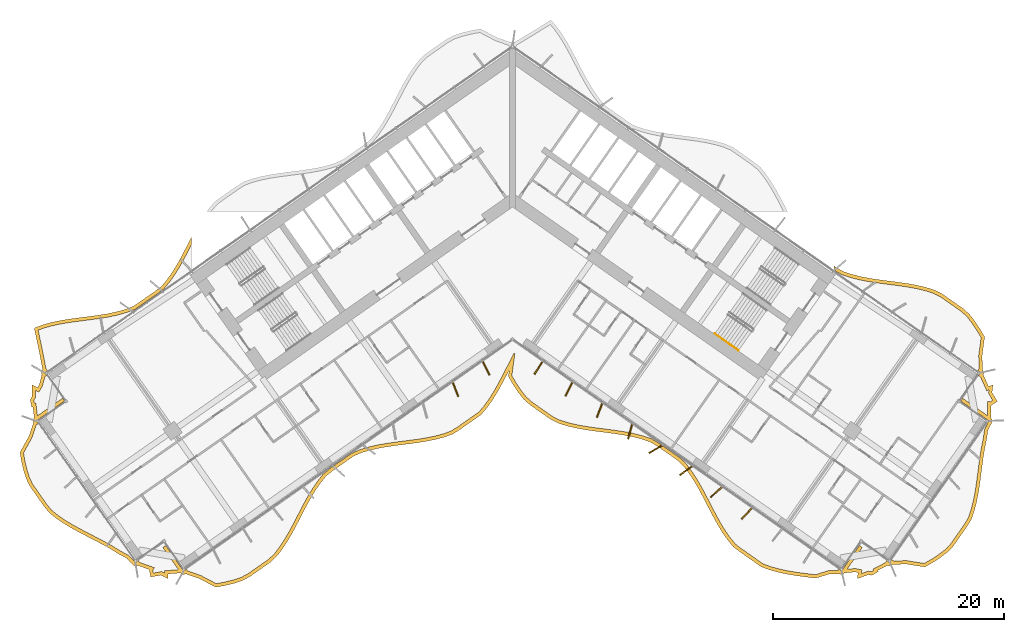
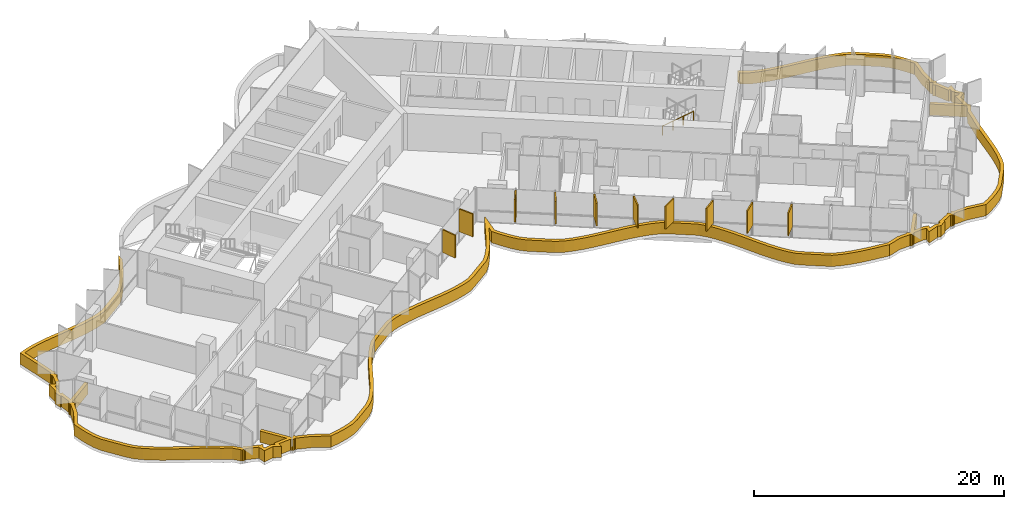
# One storey, part 20 of 23: 11 shading devices, 1 railing.
"""IFC4 building model written with IfcOpenShell, lengths in metres."""

from ifc_helpers import new_model, si_unit, direction, frame, origin, origin_2d, place, context, subcontext, project, spatial, polyline, rectangle, circle, outline, extrude, material, layer, layer_set, type_object, element, save


model = new_model("IFC4")

# Units and contexts
model_context = context("Model", 3, precision=1e-05, world=origin(), true_north=direction((0.0, 1.0)))
body_context = subcontext(model_context, "Body", "Model", "MODEL_VIEW")
ifc_project = project(units=[si_unit("LENGTHUNIT", "METRE"), si_unit("AREAUNIT", "SQUARE_METRE"), si_unit("VOLUMEUNIT", "CUBIC_METRE"), si_unit("PLANEANGLEUNIT", "RADIAN"), si_unit("MASSUNIT", "GRAM", prefix="KILO")], contexts=[model_context])

# Site, building, storey
site_placement = place(None, origin())
site = spatial("IfcSite", under=ifc_project, at=site_placement, CompositionType="ELEMENT")
building_placement = place(site_placement, origin())
building = spatial("IfcBuilding", under=site, at=building_placement, Name="Tel Ilan Convention Tower", CompositionType="ELEMENT")
storey_placement = place(building_placement, frame((0.0, 0.0, 112.10009765625)))
storey = spatial("IfcBuildingStorey", under=building, at=storey_placement, Name="L24", CompositionType="ELEMENT", Elevation=112.10009765625)

# Shading devices
ifc_material_1 = material(Name="Aluminium, bronze anodised", Category="aluminium")
ifc_layer_1 = layer(ifc_material_1, 0.1201171875)
ifc_layer_set_1 = layer_set([ifc_layer_1], Name="FIN BRONZE 1300x120")
shading_device_type_1 = type_object("IfcShadingDeviceType", Name="FIN BRONZE 1300x120", PredefinedType="USERDEFINED", material=ifc_layer_set_1)
for number, where, z_axis, x_axis, name in (
    (1, (-4.947998046875, -17.070068359375, 1.10009765625), (0.0, 0.0, 1.0), (0.360177724803, -0.932883704733, 0.0), "FIN"),
    (2, (-2.298583984375, -15.222900390625, 1.10009765625), (0.0, 0.0, 1.0), (0.448799180206, -0.893632640321, 0.0), "FIN"),
    (3, (2.2470703125, -15.18701171875, 1.10009765625), (0.0, 0.0, 1.0), (-0.533204432798, -0.845986425922, 0.0), "FIN"),
    (4, (4.893798828125, -17.039794921875, 1.10009765625), (0.0, 0.0, 1.0), (-0.448799180206, -0.893632640321, 0.0), "FIN"),
    (5, (7.543212890625, -18.88720703125, 1.10009765625), (0.0, 0.0, 1.0), (-0.360177724803, -0.932883704733, 0.0), "FIN"),
    (6, (10.19482421875, -20.728515625, 1.10009765625), (0.0, 0.0, 1.0), (-0.268172612768, -0.963370878614, 0.0), "FIN"),
    (7, (12.398193359375, -22.248779296875, 1.10009765625), (0.0, 0.0, 1.0), (-0.866025403784, -0.5, 0.0), "FIN"),
    (8, (15.0302734375, -24.114501953125, 1.10009765625), (0.0, 0.0, 1.0), (-0.813552070258, -0.581492071294, 0.0), "FIN"),
    (9, (17.667724609375, -25.9765625, 1.10009765625), (0.0, 0.0, 1.0), (-0.753435896329, -0.657521368568, 0.0), "FIN"),
    (10, (20.309814453125, -27.834228515625, 1.10009765625), (0.0, 0.0, 1.0), (-0.686241637865, -0.727373641577, 0.0), "FIN"),
):
    element("IfcShadingDevice", number, at=place(storey_placement, frame(where, z_axis=z_axis, x_axis=x_axis)), inside=storey, type_object=shading_device_type_1, Name=name, ObjectType="FIN", PredefinedType="USERDEFINED", context=body_context, shape_type="SweptSolid", body=[
        extrude(rectangle(XDim=1.300048828125, YDim=0.1201171875, at=origin_2d()), origin(), (0.0, 0.0, 1.0), 2.219970703125),
    ])
ifc_material_2 = material(Name="Aluminium, bronze anodised", Category="aluminium")
ifc_layer_2 = layer(ifc_material_2, 0.300048828125)
ifc_layer_set_2 = layer_set([ifc_layer_2], Name="LOUVRE BAND 300x1100")
shading_device_type_2 = type_object("IfcShadingDeviceType", Name="LOUVRE BAND 300x1100", PredefinedType="USERDEFINED", material=ifc_layer_set_2)
shading_device_placement = place(storey_placement, origin())
element("IfcShadingDevice", 11, at=shading_device_placement, inside=storey, type_object=shading_device_type_2, Name="LOUVRE BAND 20.01", ObjectType="LOUVRE", PredefinedType="USERDEFINED", context=body_context, shape_type="SweptSolid", body=[
    extrude(outline(polyline([(-41.95263671875, -21.091796875), (-42.734619140625, -22.51123046875), (-42.607421875, -23.294189453125), (-42.430908203125, -24.04248046875), (-42.208740234375, -24.7587890625), (-41.900146484375, -25.414794921875), (-40.671142578125, -27.170166015625), (-40.220458984375, -27.726806640625), (-39.64404296875, -28.195068359375), (-39.018310546875, -28.62890625), (-38.352294921875, -29.03466796875), (-37.656982421875, -29.419677734375), (-35.51513671875, -30.535888671875), (-34.82470703125, -30.92431640625), (-34.16357421875, -31.33349609375), (-33.458251953125, -31.711669921875), (-32.969482421875, -32.241455078125), (-32.96484375, -32.238037109375), (-32.93603515625, -32.281494140625), (-32.838623046875, -32.346435546875), (-32.723876953125, -32.369384765625), (-32.609130859375, -32.346435546875), (-32.554931640625, -32.310302734375), (-31.51708984375, -32.678955078125), (-31.52783203125, -32.69677734375), (-31.39501953125, -33.33642578125), (-30.5068359375, -33.168701171875), (-29.9072265625, -33.476806640625), (-29.906005859375, -33.06201171875), (-28.786865234375, -32.974853515625), (-28.7578125, -33.01806640625), (-28.660400390625, -33.083251953125), (-28.545654296875, -33.10595703125), (-28.430908203125, -33.083251953125), (-28.376953125, -33.047119140625), (-27.177490234375, -33.46728515625), (-25.748291015625, -34.2158203125), (-24.94677734375, -34.067626953125), (-24.174072265625, -33.878662109375), (-23.436767578125, -33.63916015625), (-22.779296875, -33.28515625), (-20.957275390625, -32.009521484375), (-20.41845703125, -31.486083984375), (-19.947509765625, -30.8662109375), (-19.5107421875, -30.197265625), (-19.1005859375, -29.490234375), (-18.708740234375, -28.75732421875), (-17.939697265625, -27.270263671875), (-17.54296875, -26.544189453125), (-17.125, -25.848388671875), (-16.677734375, -25.1943359375), (-16.19384765625, -24.5927734375), (-15.619140625, -24.12109375), (-13.797119140625, -22.84521484375), (-13.101318359375, -22.546142578125), (-12.351806640625, -22.323974609375), (-11.56884765625, -22.1494140625), (-10.760498046875, -22.01123046875), (-9.935791015625, -21.896484375), (-8.276123046875, -21.681396484375), (-7.4609375, -21.552734375), (-6.66845703125, -21.39208984375), (-5.906494140625, -21.1875), (-5.18212890625, -20.92919921875), (-4.55859375, -20.527099609375), (-2.736572265625, -19.251220703125), (-2.23828125, -18.669921875), (-1.779296875, -18.032958984375), (-1.352294921875, -17.350341796875), (-0.94921875, -16.63330078125), (-0.29345703125, -15.373291015625), (-0.367919921875, -15.928955078125), (0.045166015625, -16.631591796875), (0.487060546875, -17.29296875), (0.964599609375, -17.90380859375), (1.52197265625, -18.400634765625), (3.343994140625, -19.676513671875), (4.02001953125, -20.003662109375), (4.763427734375, -20.234375), (5.54150390625, -20.416015625), (6.34619140625, -20.559326171875), (7.1689453125, -20.67724609375), (8.829345703125, -20.89111328125), (9.647216796875, -21.015625), (10.444091796875, -21.17041015625), (11.211669921875, -21.366943359375), (11.9423828125, -21.61572265625), (12.582275390625, -21.99462890625), (14.404541015625, -23.2705078125), (14.92333984375, -23.822021484375), (15.388427734375, -24.450439453125), (15.8203125, -25.12646484375), (16.2265625, -25.8388671875), (16.61669921875, -26.574462890625), (17.38623046875, -28.060546875), (17.785888671875, -28.782470703125), (18.2080078125, -29.47216796875), (18.660888671875, -30.1181640625), (19.1513671875, -30.71044921875), (19.742431640625, -31.158935546875), (21.564697265625, -32.4345703125), (22.281005859375, -32.7041015625), (23.03662109375, -32.917724609375), (23.824462890625, -33.08544921875), (24.635986328125, -33.218994140625), (26.29443359375, -33.435546875), (27.448974609375, -33.079345703125), (28.376953125, -33.047119140625), (28.430908203125, -33.083251953125), (28.545654296875, -33.10595703125), (28.660400390625, -33.083251953125), (28.7578125, -33.01806640625), (28.786865234375, -32.974853515625), (29.716796875, -32.8935546875), (29.97412109375, -32.9453125), (29.9072265625, -33.476806640625), (30.8779296875, -33.126708984375), (31.183837890625, -33.188232421875), (31.7392578125, -32.8447265625), (31.685546875, -32.75439453125), (32.554931640625, -32.310302734375), (32.609130859375, -32.346435546875), (32.723876953125, -32.369384765625), (32.838623046875, -32.346435546875), (32.93603515625, -32.281494140625), (32.96484375, -32.238037109375), (34.16845703125, -32.208740234375), (35.769775390625, -32.4580078125), (36.4619140625, -32.07080078125), (37.104736328125, -31.64892578125), (37.701904296875, -31.195068359375), (38.212890625, -30.680908203125), (39.44189453125, -28.925537109375), (39.810791015625, -28.311767578125), (40.0537109375, -27.60986328125), (40.247314453125, -26.87353515625), (40.40087890625, -26.109130859375), (40.52490234375, -25.323974609375), (40.841064453125, -22.929443359375), (40.969970703125, -22.147705078125), (41.12841796875, -21.386474609375), (41.24267578125, -20.594482421875), (41.5732421875, -19.9541015625), (41.568603515625, -19.950927734375), (41.604736328125, -19.896728515625), (41.62744140625, -19.781982421875), (41.604736328125, -19.667236328125), (41.53955078125, -19.56982421875), (41.496337890625, -19.541015625), (41.487548828125, -18.439453125), (41.508056640625, -18.443603515625), (42.063720703125, -18.10009765625), (41.602294921875, -17.322509765625), (41.686767578125, -16.65380859375), (41.29638671875, -16.79443359375), (40.831787109375, -15.772705078125), (40.867919921875, -15.71875), (40.890869140625, -15.603759765625), (40.867919921875, -15.489013671875), (40.802978515625, -15.3916015625), (40.759521484375, -15.36279296875), (40.743408203125, -14.096435546875), (40.96044921875, -12.496826171875), (40.548828125, -11.795654296875), (40.108154296875, -11.13525390625), (39.63232421875, -10.525390625), (39.078125, -10.02783203125), (37.260498046875, -8.755126953125), (36.5888671875, -8.4248046875), (35.84814453125, -8.193115234375), (35.072998046875, -8.0107421875), (34.27099609375, -7.86669921875), (33.450927734375, -7.748779296875), (31.79443359375, -7.535400390625), (30.97802734375, -7.412109375), (30.181884765625, -7.259521484375), (29.414794921875, -7.0654296875), (28.68408203125, -6.820068359375), (28.040283203125, -6.44970703125), (27.874755859375, -6.333740234375), (27.874755859375, -6.70068359375), (28.560302734375, -7.094970703125), (29.330322265625, -7.353515625), (30.116943359375, -7.552490234375), (30.92724609375, -7.707763671875), (31.752685546875, -7.83251953125), (33.41064453125, -8.0458984375), (34.22314453125, -8.162841796875), (35.01220703125, -8.3046875), (35.76904296875, -8.482666015625), (36.477294921875, -8.7041015625), (37.107421875, -9.01416015625), (38.89111328125, -10.26318359375), (39.412109375, -10.73095703125), (39.86474609375, -11.31103515625), (40.29443359375, -11.954833984375), (40.649169921875, -12.559326171875), (40.443115234375, -14.07861328125), (40.46142578125, -15.265625), (40.344970703125, -15.431640625), (40.5908203125, -15.603759765625), (40.41943359375, -15.85009765625), (40.596923828125, -15.974365234375), (41.13720703125, -17.1708984375), (41.327880859375, -17.10205078125), (41.291748046875, -17.38720703125), (41.6552734375, -17.999755859375), (41.451171875, -18.1259765625), (41.18359375, -18.072265625), (41.197265625, -19.324462890625), (39.0419921875, -17.8154296875), (38.8701171875, -18.061279296875), (41.327392578125, -19.781982421875), (41.155517578125, -20.02783203125), (41.186279296875, -20.04931640625), (40.952880859375, -20.501708984375), (40.832763671875, -21.33447265625), (40.675048828125, -22.0927734375), (40.54443359375, -22.884521484375), (40.22802734375, -25.28076171875), (40.10546875, -26.05615234375), (39.955078125, -26.8056640625), (39.766357421875, -27.5224609375), (39.53759765625, -28.18408203125), (39.190185546875, -28.761962890625), (37.98193359375, -30.48779296875), (37.50390625, -30.96875), (36.931640625, -31.40380859375), (36.30615234375, -31.814208984375), (35.713623046875, -32.145751953125), (34.1875, -31.908203125), (33.060546875, -31.938720703125), (32.89599609375, -31.823486328125), (32.723876953125, -32.0693359375), (32.4775390625, -31.89794921875), (32.34912109375, -32.08154296875), (31.26416015625, -32.6318359375), (31.3310546875, -32.74462890625), (31.126708984375, -32.870849609375), (30.854736328125, -32.816162109375), (30.26611328125, -33.028564453125), (30.306884765625, -32.7060546875), (29.73291015625, -32.5908203125), (29.016845703125, -32.65625), (30.340087890625, -30.766357421875), (30.09423828125, -30.59423828125), (28.545654296875, -32.805908203125), (28.2998046875, -32.634033203125), (28.214111328125, -32.75634765625), (27.3994140625, -32.78076171875), (26.267822265625, -33.1298828125), (24.6806640625, -32.922119140625), (23.8798828125, -32.79052734375), (23.10888671875, -32.626220703125), (22.374755859375, -32.4189453125), (21.70556640625, -32.167236328125), (19.919189453125, -30.91650390625), (19.3603515625, -30.492431640625), (18.899658203125, -29.936279296875), (18.459228515625, -29.3076171875), (18.04541015625, -28.63134765625), (17.650634765625, -27.91845703125), (16.882568359375, -26.435791015625), (16.489501953125, -25.694091796875), (16.0771484375, -24.97119140625), (15.6357421875, -24.2802734375), (15.154052734375, -23.629150390625), (14.601806640625, -23.04248046875), (12.7451171875, -21.742431640625), (12.068603515625, -21.341796875), (11.29736328125, -21.0791015625), (10.510009765625, -20.87744140625), (9.698486328125, -20.719970703125), (8.871337890625, -20.593994140625), (7.209228515625, -20.3798828125), (6.393798828125, -20.26318359375), (5.60205078125, -20.1220703125), (4.84228515625, -19.94482421875), (4.13037109375, -19.723876953125), (3.496337890625, -19.4169921875), (1.70849609375, -18.1650390625), (1.184326171875, -17.697998046875), (0.73046875, -17.1171875), (0.299560546875, -16.471923828125), (-0.056884765625, -15.8662109375), (0.199462890625, -13.955810546875), (0.11083984375, -13.927978515625), (-0.8271484375, -15.756591796875), (-1.212890625, -16.489990234375), (-1.6103515625, -17.197265625), (-2.0283203125, -17.86572265625), (-2.474365234375, -18.484375), (-2.939697265625, -19.027099609375), (-4.72607421875, -20.278076171875), (-5.315673828125, -20.658203125), (-5.995849609375, -20.90087890625), (-6.737060546875, -21.099853515625), (-7.51416015625, -21.25732421875), (-8.319091796875, -21.384521484375), (-9.97509765625, -21.59912109375), (-10.806396484375, -21.71484375), (-11.626708984375, -21.85498046875), (-12.427001953125, -22.033447265625), (-13.20361328125, -22.263427734375), (-13.94384765625, -22.581787109375), (-15.800537109375, -23.8818359375), (-16.408203125, -24.380615234375), (-16.9189453125, -25.015380859375), (-17.377685546875, -25.686279296875), (-17.80322265625, -26.39501953125), (-18.20458984375, -27.129150390625), (-18.974365234375, -28.617919921875), (-19.36279296875, -29.34423828125), (-19.76611328125, -30.0400390625), (-20.192626953125, -30.693359375), (-20.643798828125, -31.28662109375), (-21.14892578125, -31.777587890625), (-22.93701171875, -33.029296875), (-23.55517578125, -33.362060546875), (-24.256103515625, -33.590087890625), (-25.009765625, -33.7744140625), (-25.700927734375, -33.90185546875), (-27.057861328125, -33.19140625), (-28.18359375, -32.80029296875), (-28.2998046875, -32.634033203125), (-28.545654296875, -32.805908203125), (-30.09423828125, -30.59423828125), (-30.340087890625, -30.766357421875), (-28.991455078125, -32.6923828125), (-30.205078125, -32.78369140625), (-30.20556640625, -32.986083984375), (-30.461181640625, -32.85498046875), (-31.161376953125, -32.98681640625), (-31.2099609375, -32.751708984375), (-31.068115234375, -32.518798828125), (-32.361328125, -32.06396484375), (-32.4775390625, -31.89794921875), (-32.723876953125, -32.0693359375), (-32.89599609375, -31.823486328125), (-32.927001953125, -31.84521484375), (-33.27197265625, -31.47119140625), (-34.013427734375, -31.073486328125), (-34.672119140625, -30.666015625), (-35.37158203125, -30.272216796875), (-37.514892578125, -29.155517578125), (-38.20166015625, -28.775146484375), (-38.8544921875, -28.377197265625), (-39.463623046875, -27.954833984375), (-40.007080078125, -27.513671875), (-40.431396484375, -26.989501953125), (-41.6396484375, -25.263916015625), (-41.92822265625, -24.650146484375), (-42.141357421875, -23.963623046875), (-42.31298828125, -23.235595703125), (-42.421875, -22.565185546875), (-41.6767578125, -21.212646484375), (-41.320068359375, -20.14306640625), (-41.155517578125, -20.02783203125), (-41.327392578125, -19.781982421875), (-38.8701171875, -18.061279296875), (-39.0419921875, -17.8154296875), (-41.220947265625, -19.34130859375), (-41.356689453125, -18.2177734375), (-41.485595703125, -18.2421875), (-41.534423828125, -18.007080078125), (-41.39013671875, -17.770263671875), (-41.38818359375, -17.14453125), (-41.09912109375, -17.29296875), (-40.794677734375, -16.793212890625), (-40.574462890625, -15.958740234375), (-40.41943359375, -15.85009765625), (-40.5908203125, -15.603759765625), (-40.344970703125, -15.431640625), (-40.48046875, -15.238037109375), (-40.81787109375, -13.5107421875), (-41.15283203125, -11.91748046875), (-40.691162109375, -11.74365234375), (-39.958740234375, -11.537353515625), (-39.189208984375, -11.373779296875), (-38.390625, -11.24267578125), (-35.911865234375, -10.914306640625), (-35.091064453125, -10.780029296875), (-34.288330078125, -10.610107421875), (-33.512451171875, -10.392333984375), (-32.749267578125, -10.1083984375), (-30.893798828125, -8.81396484375), (-30.2685546875, -8.34814453125), (-29.747314453125, -7.72314453125), (-29.28173828125, -7.063232421875), (-28.85107421875, -6.363037109375), (-28.4462890625, -5.63525390625), (-27.874755859375, -4.5361328125), (-27.874755859375, -3.88330078125), (-28.71044921875, -5.49267578125), (-29.10986328125, -6.211669921875), (-29.5322265625, -6.89794921875), (-29.9853515625, -7.540283203125), (-30.47607421875, -8.128662109375), (-31.069580078125, -8.57080078125), (-32.88916015625, -9.84033203125), (-33.60546875, -10.10693359375), (-34.360107421875, -10.318603515625), (-35.146240234375, -10.485107421875), (-35.956298828125, -10.61767578125), (-38.43505859375, -10.946044921875), (-39.244873046875, -11.078857421875), (-40.03076171875, -11.245849609375), (-40.784912109375, -11.45849609375), (-41.499267578125, -11.727294921875), (-41.11181640625, -13.5703125), (-40.759521484375, -15.36279296875), (-40.802978515625, -15.3916015625), (-40.867919921875, -15.489013671875), (-40.890869140625, -15.603759765625), (-40.867919921875, -15.71875), (-40.831787109375, -15.772705078125), (-41.073486328125, -16.67431640625), (-41.210205078125, -16.898681640625), (-41.686767578125, -16.65380859375), (-41.68994140625, -17.685546875), (-41.852294921875, -17.9521484375), (-41.719482421875, -18.591552734375), (-41.6162109375, -18.572021484375), (-41.496337890625, -19.541015625), (-41.53955078125, -19.56982421875), (-41.604736328125, -19.667236328125), (-41.62744140625, -19.781982421875), (-41.604736328125, -19.896728515625), (-41.568603515625, -19.950927734375), (-41.95263671875, -21.091796875)])), origin(), (0.0, 0.0, 1.0), 1.099853515625),
])

# Railing
ifc_material_3 = material(Name="Stainless Steel Grade 316", Category="steel")
railing_type = type_object("IfcRailingType", Name="Stainless Steel Stair Handrail 900 mm", PredefinedType="HANDRAIL", material=ifc_material_3)
railing_placement = place(storey_placement, frame((17.542236328125, -12.22216796875, 1.97998046875)))
element("IfcRailing", 12, at=railing_placement, inside=storey, type_object=railing_type, Name="L24 S4 stair handrail 2", PredefinedType="HANDRAIL", context=body_context, shape_type="SweptSolid", body=[
    extrude(circle(Radius=0.02392578125, at=origin_2d()), frame((0.0, 0.0, 0.8759765625), z_axis=(0.68907047291, -0.482471578903, 0.540743061828), x_axis=(0.573559875649, 0.819163639968, 0.0)), (0.0, 0.0, 1.0), 2.99560546875),
    extrude(circle(Radius=0.02099609375, at=origin_2d()), origin(), (0.0, 0.0, 1.0), 0.851806640625),
    extrude(circle(Radius=0.02099609375, at=origin_2d()), frame((0.68798828125, -0.481689453125, 0.5400390625)), (0.0, 0.0, 1.0), 0.851806640625),
    extrude(circle(Radius=0.02099609375, at=origin_2d()), frame((1.376220703125, -0.963623046875, 1.079833984375)), (0.0, 0.0, 1.0), 0.851806640625),
    extrude(circle(Radius=0.02099609375, at=origin_2d()), frame((2.064208984375, -1.4453125, 1.619873046875)), (0.0, 0.0, 1.0), 0.851806640625),
])

save(model, "model.ifc")
